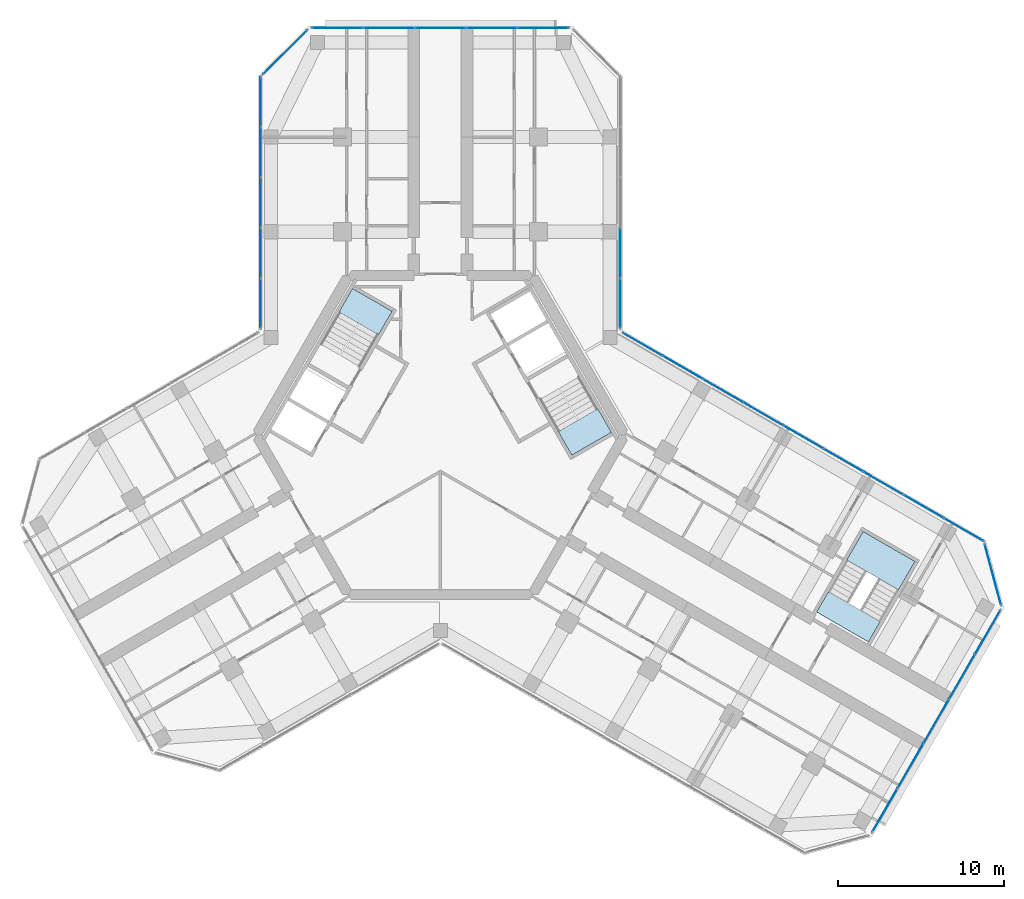
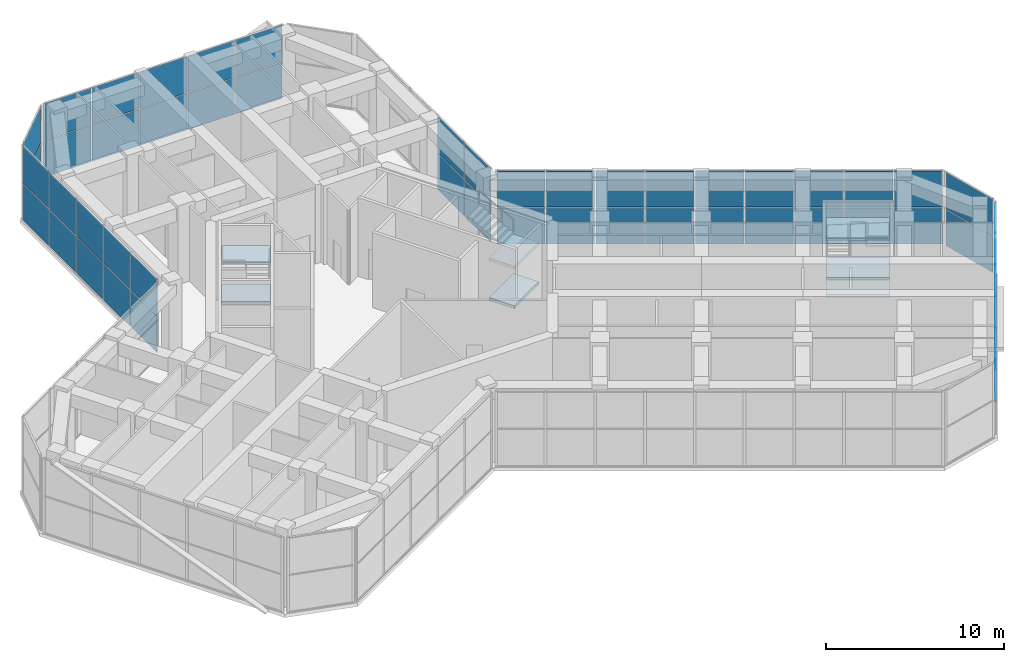
# One storey, part 10 of 16: 55 plates, 7 slabs, 10 elements without a shape of their own.
"""IFC4 building model written with IfcOpenShell, lengths in metres."""

from ifc_helpers import new_model, si_unit, direction, frame, origin, origin_2d, place, context, subcontext, project, spatial, polyline, rectangle, outline, extrude, material, layer, layer_set, type_object, element, aggregate, save


model = new_model("IFC4")

# Units and contexts
model_context = context("Model", 3, precision=1e-05, world=origin(), true_north=direction((0.0, 1.0)))
body_context = subcontext(model_context, "Body", "Model", "MODEL_VIEW")
ifc_project = project(units=[si_unit("LENGTHUNIT", "METRE"), si_unit("AREAUNIT", "SQUARE_METRE"), si_unit("VOLUMEUNIT", "CUBIC_METRE"), si_unit("PLANEANGLEUNIT", "RADIAN"), si_unit("MASSUNIT", "GRAM", prefix="KILO")], contexts=[model_context])

# Site, building, storey
site_placement = place(None, origin())
site = spatial("IfcSite", under=ifc_project, at=site_placement, CompositionType="ELEMENT")
building_placement = place(site_placement, origin())
building = spatial("IfcBuilding", under=site, at=building_placement, Name="Kosmar Iwan School Tower", CompositionType="ELEMENT")
storey_placement = place(building_placement, frame((0.0, 0.0, 226.199951171875)))
storey = spatial("IfcBuildingStorey", under=building, at=storey_placement, Name="L57", CompositionType="ELEMENT", Elevation=226.199951171875)

# Curtain wall, plates
ifc_material_1 = material(Name="Dark glass in black aluminium frame", Category="aluminium")
curtain_wall_type_1 = type_object("IfcCurtainWallType", Name="Tower curtain wall dark glass", PredefinedType="USERDEFINED", material=ifc_material_1)
curtain_wall_1_placement = place(storey_placement, origin())
curtain_wall_1 = element("IfcCurtainWall", 1, at=curtain_wall_1_placement, inside=storey, type_object=curtain_wall_type_1, Name="Curtain wall L57-F01", ObjectType="UNITISED CURTAIN WALL", PredefinedType="USERDEFINED")
ifc_material_2 = material(Name="Dark glass", Category="glass")
ifc_layer_1 = layer(ifc_material_2, 0.028076171875)
ifc_layer_set_1 = layer_set([ifc_layer_1], Name="Dark glass panel 28")
plate_type = type_object("IfcPlateType", Name="Dark glass panel 28", PredefinedType="CURTAIN_PANEL", material=ifc_layer_set_1)
plate_1_placement = place(storey_placement, frame((26.764404296875, -22.592529296875, 2.60498046875), z_axis=(0.0, 0.0, 1.0), x_axis=(0.499999997325, 0.866025405329, 0.0)))
plate_1 = element("IfcPlate", 2, at=plate_1_placement, type_object=plate_type, Name="CW1 panel 1.2", PredefinedType="CURTAIN_PANEL", context=body_context, shape_type="SweptSolid", body=[
    extrude(rectangle(XDim=3.00927734375, YDim=0.028076171875, at=origin_2d()), origin(), (0.0, 0.0, 1.0), 2.485107421875),
])
plate_2_placement = place(storey_placement, frame((28.306640625, -19.921630859375, 0.06005859375), z_axis=(0.0, 0.0, 1.0), x_axis=(0.499999997325, 0.866025405329, 0.0)))
plate_2 = element("IfcPlate", 3, at=plate_2_placement, type_object=plate_type, Name="CW1 panel 2.1", PredefinedType="CURTAIN_PANEL", context=body_context, shape_type="SweptSolid", body=[
    extrude(rectangle(XDim=3.039306640625, YDim=0.028076171875, at=origin_2d()), origin(), (0.0, 0.0, 1.0), 2.485107421875),
])
plate_3_placement = place(storey_placement, frame((28.306640625, -19.921630859375, 2.60498046875), z_axis=(0.0, 0.0, 1.0), x_axis=(0.499999997325, 0.866025405329, 0.0)))
plate_3 = element("IfcPlate", 4, at=plate_3_placement, type_object=plate_type, Name="CW1 panel 2.2", PredefinedType="CURTAIN_PANEL", context=body_context, shape_type="SweptSolid", body=[
    extrude(rectangle(XDim=3.039306640625, YDim=0.028076171875, at=origin_2d()), origin(), (0.0, 0.0, 1.0), 2.485107421875),
])
plate_4_placement = place(storey_placement, frame((29.856201171875, -17.237548828125, 0.06005859375), z_axis=(0.0, 0.0, 1.0), x_axis=(0.499999997325, 0.866025405329, 0.0)))
plate_4 = element("IfcPlate", 5, at=plate_4_placement, type_object=plate_type, Name="CW1 panel 3.1", PredefinedType="CURTAIN_PANEL", context=body_context, shape_type="SweptSolid", body=[
    extrude(rectangle(XDim=3.039306640625, YDim=0.028076171875, at=origin_2d()), origin(), (0.0, 0.0, 1.0), 2.485107421875),
])
plate_5_placement = place(storey_placement, frame((29.856201171875, -17.237548828125, 2.60498046875), z_axis=(0.0, 0.0, 1.0), x_axis=(0.499999997325, 0.866025405329, 0.0)))
plate_5 = element("IfcPlate", 6, at=plate_5_placement, type_object=plate_type, Name="CW1 panel 3.2", PredefinedType="CURTAIN_PANEL", context=body_context, shape_type="SweptSolid", body=[
    extrude(rectangle(XDim=3.039306640625, YDim=0.028076171875, at=origin_2d()), origin(), (0.0, 0.0, 1.0), 2.485107421875),
])
plate_6_placement = place(storey_placement, frame((31.40576171875, -14.553466796875, 0.06005859375), z_axis=(0.0, 0.0, 1.0), x_axis=(0.499999997325, 0.866025405329, 0.0)))
plate_6 = element("IfcPlate", 7, at=plate_6_placement, type_object=plate_type, Name="CW1 panel 4.1", PredefinedType="CURTAIN_PANEL", context=body_context, shape_type="SweptSolid", body=[
    extrude(rectangle(XDim=3.039306640625, YDim=0.028076171875, at=origin_2d()), origin(), (0.0, 0.0, 1.0), 2.485107421875),
])
plate_7_placement = place(storey_placement, frame((31.40576171875, -14.553466796875, 2.60498046875), z_axis=(0.0, 0.0, 1.0), x_axis=(0.499999997325, 0.866025405329, 0.0)))
plate_7 = element("IfcPlate", 8, at=plate_7_placement, type_object=plate_type, Name="CW1 panel 4.2", PredefinedType="CURTAIN_PANEL", context=body_context, shape_type="SweptSolid", body=[
    extrude(rectangle(XDim=3.039306640625, YDim=0.028076171875, at=origin_2d()), origin(), (0.0, 0.0, 1.0), 2.485107421875),
])
plate_8_placement = place(storey_placement, frame((32.947998046875, -11.88232421875, 0.06005859375), z_axis=(0.0, 0.0, 1.0), x_axis=(0.499999997325, 0.866025405329, 0.0)))
plate_8 = element("IfcPlate", 9, at=plate_8_placement, type_object=plate_type, Name="CW1 panel 5.1", PredefinedType="CURTAIN_PANEL", context=body_context, shape_type="SweptSolid", body=[
    extrude(rectangle(XDim=3.00927734375, YDim=0.028076171875, at=origin_2d()), origin(), (0.0, 0.0, 1.0), 2.485107421875),
])
plate_9_placement = place(storey_placement, frame((32.947998046875, -11.88232421875, 2.60498046875), z_axis=(0.0, 0.0, 1.0), x_axis=(0.499999997325, 0.866025405329, 0.0)))
plate_9 = element("IfcPlate", 10, at=plate_9_placement, type_object=plate_type, Name="CW1 panel 5.2", PredefinedType="CURTAIN_PANEL", context=body_context, shape_type="SweptSolid", body=[
    extrude(rectangle(XDim=3.00927734375, YDim=0.028076171875, at=origin_2d()), origin(), (0.0, 0.0, 1.0), 2.485107421875),
])
aggregate(curtain_wall_1, [plate_1, plate_2, plate_3, plate_4, plate_5, plate_6, plate_7, plate_8, plate_9])

ifc_material_3 = material(Name="Dark glass in black aluminium frame", Category="aluminium")
curtain_wall_type_2 = type_object("IfcCurtainWallType", Name="Chamfer curtain wall dark glass", PredefinedType="USERDEFINED", material=ifc_material_3)
curtain_wall_2_placement = place(storey_placement, origin())
curtain_wall_2 = element("IfcCurtainWall", 11, at=curtain_wall_2_placement, inside=storey, type_object=curtain_wall_type_2, Name="Curtain wall L57-F02", ObjectType="FACETED CURTAIN WALL", PredefinedType="USERDEFINED")
plate_10_placement = place(storey_placement, frame((33.269775390625, -8.3984375, 0.06005859375), z_axis=(0.0, 0.0, 1.0), x_axis=(-0.258818861462, 0.965925875495, 0.0)))
plate_10 = element("IfcPlate", 12, at=plate_10_placement, type_object=plate_type, Name="CW2 panel 1.1", PredefinedType="CURTAIN_PANEL", context=body_context, shape_type="SweptSolid", body=[
    extrude(rectangle(XDim=3.718994140625, YDim=0.028076171875, at=origin_2d()), origin(), (0.0, 0.0, 1.0), 2.485107421875),
])
plate_11_placement = place(storey_placement, frame((33.269775390625, -8.3984375, 2.60498046875), z_axis=(0.0, 0.0, 1.0), x_axis=(-0.258818861462, 0.965925875495, 0.0)))
plate_11 = element("IfcPlate", 13, at=plate_11_placement, type_object=plate_type, Name="CW2 panel 1.2", PredefinedType="CURTAIN_PANEL", context=body_context, shape_type="SweptSolid", body=[
    extrude(rectangle(XDim=3.718994140625, YDim=0.028076171875, at=origin_2d()), origin(), (0.0, 0.0, 1.0), 2.485107421875),
])
aggregate(curtain_wall_2, [plate_10, plate_11])

ifc_material_4 = material(Name="Dark glass in black aluminium frame", Category="aluminium")
curtain_wall_type_3 = type_object("IfcCurtainWallType", Name="Winter garden curtain wall", PredefinedType="USERDEFINED", material=ifc_material_4)
curtain_wall_3_placement = place(storey_placement, origin())
curtain_wall_3 = element("IfcCurtainWall", 14, at=curtain_wall_3_placement, inside=storey, type_object=curtain_wall_type_3, Name="Curtain wall L57-F03", ObjectType="WINTER GARDEN CURTAIN WALL", PredefinedType="USERDEFINED")
plate_12_placement = place(storey_placement, frame((12.185302734375, 5.46435546875, 0.06005859375), z_axis=(0.0, 0.0, 1.0), x_axis=(0.866025395189, -0.500000014888, 0.0)))
plate_12 = element("IfcPlate", 15, at=plate_12_placement, type_object=plate_type, Name="CW7 panel 1.1", PredefinedType="CURTAIN_PANEL", context=body_context, shape_type="SweptSolid", body=[
    extrude(rectangle(XDim=2.703369140625, YDim=0.028076171875, at=origin_2d()), origin(), (0.0, 0.0, 1.0), 2.485107421875),
])
plate_13_placement = place(storey_placement, frame((12.185302734375, 5.46435546875, 2.60498046875), z_axis=(0.0, 0.0, 1.0), x_axis=(0.866025395189, -0.500000014888, 0.0)))
plate_13 = element("IfcPlate", 16, at=plate_13_placement, type_object=plate_type, Name="CW7 panel 1.2", PredefinedType="CURTAIN_PANEL", context=body_context, shape_type="SweptSolid", body=[
    extrude(rectangle(XDim=2.703369140625, YDim=0.028076171875, at=origin_2d()), origin(), (0.0, 0.0, 1.0), 2.485107421875),
])
plate_14_placement = place(storey_placement, frame((14.59130859375, 4.0751953125, 0.06005859375), z_axis=(0.0, 0.0, 1.0), x_axis=(0.866025395189, -0.500000014888, 0.0)))
plate_14 = element("IfcPlate", 17, at=plate_14_placement, type_object=plate_type, Name="CW7 panel 2.1", PredefinedType="CURTAIN_PANEL", context=body_context, shape_type="SweptSolid", body=[
    extrude(rectangle(XDim=2.733154296875, YDim=0.028076171875, at=origin_2d()), origin(), (0.0, 0.0, 1.0), 2.485107421875),
])
plate_15_placement = place(storey_placement, frame((14.59130859375, 4.0751953125, 2.60498046875), z_axis=(0.0, 0.0, 1.0), x_axis=(0.866025395189, -0.500000014888, 0.0)))
plate_15 = element("IfcPlate", 18, at=plate_15_placement, type_object=plate_type, Name="CW7 panel 2.2", PredefinedType="CURTAIN_PANEL", context=body_context, shape_type="SweptSolid", body=[
    extrude(rectangle(XDim=2.733154296875, YDim=0.028076171875, at=origin_2d()), origin(), (0.0, 0.0, 1.0), 2.485107421875),
])
plate_16_placement = place(storey_placement, frame((17.010498046875, 2.6787109375, 0.06005859375), z_axis=(0.0, 0.0, 1.0), x_axis=(0.866025395189, -0.500000014888, 0.0)))
plate_16 = element("IfcPlate", 19, at=plate_16_placement, type_object=plate_type, Name="CW7 panel 3.1", PredefinedType="CURTAIN_PANEL", context=body_context, shape_type="SweptSolid", body=[
    extrude(rectangle(XDim=2.733154296875, YDim=0.028076171875, at=origin_2d()), origin(), (0.0, 0.0, 1.0), 2.485107421875),
])
plate_17_placement = place(storey_placement, frame((17.010498046875, 2.6787109375, 2.60498046875), z_axis=(0.0, 0.0, 1.0), x_axis=(0.866025395189, -0.500000014888, 0.0)))
plate_17 = element("IfcPlate", 20, at=plate_17_placement, type_object=plate_type, Name="CW7 panel 3.2", PredefinedType="CURTAIN_PANEL", context=body_context, shape_type="SweptSolid", body=[
    extrude(rectangle(XDim=2.733154296875, YDim=0.028076171875, at=origin_2d()), origin(), (0.0, 0.0, 1.0), 2.485107421875),
])
plate_18_placement = place(storey_placement, frame((19.429443359375, 1.281982421875, 0.06005859375), z_axis=(0.0, 0.0, 1.0), x_axis=(0.866025395189, -0.500000014888, 0.0)))
plate_18 = element("IfcPlate", 21, at=plate_18_placement, type_object=plate_type, Name="CW7 panel 4.1", PredefinedType="CURTAIN_PANEL", context=body_context, shape_type="SweptSolid", body=[
    extrude(rectangle(XDim=2.733154296875, YDim=0.028076171875, at=origin_2d()), origin(), (0.0, 0.0, 1.0), 2.485107421875),
])
plate_19_placement = place(storey_placement, frame((19.429443359375, 1.281982421875, 2.60498046875), z_axis=(0.0, 0.0, 1.0), x_axis=(0.866025395189, -0.500000014888, 0.0)))
plate_19 = element("IfcPlate", 22, at=plate_19_placement, type_object=plate_type, Name="CW7 panel 4.2", PredefinedType="CURTAIN_PANEL", context=body_context, shape_type="SweptSolid", body=[
    extrude(rectangle(XDim=2.733154296875, YDim=0.028076171875, at=origin_2d()), origin(), (0.0, 0.0, 1.0), 2.485107421875),
])
plate_20_placement = place(storey_placement, frame((21.848388671875, -0.114501953125, 0.06005859375), z_axis=(0.0, 0.0, 1.0), x_axis=(0.866025395189, -0.500000014888, 0.0)))
plate_20 = element("IfcPlate", 23, at=plate_20_placement, type_object=plate_type, Name="CW7 panel 5.1", PredefinedType="CURTAIN_PANEL", context=body_context, shape_type="SweptSolid", body=[
    extrude(rectangle(XDim=2.733154296875, YDim=0.028076171875, at=origin_2d()), origin(), (0.0, 0.0, 1.0), 2.485107421875),
])
plate_21_placement = place(storey_placement, frame((21.848388671875, -0.114501953125, 2.60498046875), z_axis=(0.0, 0.0, 1.0), x_axis=(0.866025395189, -0.500000014888, 0.0)))
plate_21 = element("IfcPlate", 24, at=plate_21_placement, type_object=plate_type, Name="CW7 panel 5.2", PredefinedType="CURTAIN_PANEL", context=body_context, shape_type="SweptSolid", body=[
    extrude(rectangle(XDim=2.733154296875, YDim=0.028076171875, at=origin_2d()), origin(), (0.0, 0.0, 1.0), 2.485107421875),
])
plate_22_placement = place(storey_placement, frame((24.267578125, -1.51123046875, 0.06005859375), z_axis=(0.0, 0.0, 1.0), x_axis=(0.866025395189, -0.500000014888, 0.0)))
plate_22 = element("IfcPlate", 25, at=plate_22_placement, type_object=plate_type, Name="CW7 panel 6.1", PredefinedType="CURTAIN_PANEL", context=body_context, shape_type="SweptSolid", body=[
    extrude(rectangle(XDim=2.733154296875, YDim=0.028076171875, at=origin_2d()), origin(), (0.0, 0.0, 1.0), 2.485107421875),
])
plate_23_placement = place(storey_placement, frame((24.267578125, -1.51123046875, 2.60498046875), z_axis=(0.0, 0.0, 1.0), x_axis=(0.866025395189, -0.500000014888, 0.0)))
plate_23 = element("IfcPlate", 26, at=plate_23_placement, type_object=plate_type, Name="CW7 panel 6.2", PredefinedType="CURTAIN_PANEL", context=body_context, shape_type="SweptSolid", body=[
    extrude(rectangle(XDim=2.733154296875, YDim=0.028076171875, at=origin_2d()), origin(), (0.0, 0.0, 1.0), 2.485107421875),
])
plate_24_placement = place(storey_placement, frame((26.6865234375, -2.90771484375, 0.06005859375), z_axis=(0.0, 0.0, 1.0), x_axis=(0.866025395189, -0.500000014888, 0.0)))
plate_24 = element("IfcPlate", 27, at=plate_24_placement, type_object=plate_type, Name="CW7 panel 7.1", PredefinedType="CURTAIN_PANEL", context=body_context, shape_type="SweptSolid", body=[
    extrude(rectangle(XDim=2.733154296875, YDim=0.028076171875, at=origin_2d()), origin(), (0.0, 0.0, 1.0), 2.485107421875),
])
plate_25_placement = place(storey_placement, frame((26.6865234375, -2.90771484375, 2.60498046875), z_axis=(0.0, 0.0, 1.0), x_axis=(0.866025395189, -0.500000014888, 0.0)))
plate_25 = element("IfcPlate", 28, at=plate_25_placement, type_object=plate_type, Name="CW7 panel 7.2", PredefinedType="CURTAIN_PANEL", context=body_context, shape_type="SweptSolid", body=[
    extrude(rectangle(XDim=2.733154296875, YDim=0.028076171875, at=origin_2d()), origin(), (0.0, 0.0, 1.0), 2.485107421875),
])
plate_26_placement = place(storey_placement, frame((29.10546875, -4.304443359375, 0.06005859375), z_axis=(0.0, 0.0, 1.0), x_axis=(0.866025395189, -0.500000014888, 0.0)))
plate_26 = element("IfcPlate", 29, at=plate_26_placement, type_object=plate_type, Name="CW7 panel 8.1", PredefinedType="CURTAIN_PANEL", context=body_context, shape_type="SweptSolid", body=[
    extrude(rectangle(XDim=2.733154296875, YDim=0.028076171875, at=origin_2d()), origin(), (0.0, 0.0, 1.0), 2.485107421875),
])
plate_27_placement = place(storey_placement, frame((29.10546875, -4.304443359375, 2.60498046875), z_axis=(0.0, 0.0, 1.0), x_axis=(0.866025395189, -0.500000014888, 0.0)))
plate_27 = element("IfcPlate", 30, at=plate_27_placement, type_object=plate_type, Name="CW7 panel 8.2", PredefinedType="CURTAIN_PANEL", context=body_context, shape_type="SweptSolid", body=[
    extrude(rectangle(XDim=2.733154296875, YDim=0.028076171875, at=origin_2d()), origin(), (0.0, 0.0, 1.0), 2.485107421875),
])
plate_28_placement = place(storey_placement, frame((31.511474609375, -5.693603515625, 0.06005859375), z_axis=(0.0, 0.0, 1.0), x_axis=(0.866025395189, -0.500000014888, 0.0)))
plate_28 = element("IfcPlate", 31, at=plate_28_placement, type_object=plate_type, Name="CW7 panel 9.1", PredefinedType="CURTAIN_PANEL", context=body_context, shape_type="SweptSolid", body=[
    extrude(rectangle(XDim=2.703369140625, YDim=0.028076171875, at=origin_2d()), origin(), (0.0, 0.0, 1.0), 2.485107421875),
])
plate_29_placement = place(storey_placement, frame((31.511474609375, -5.693603515625, 2.60498046875), z_axis=(0.0, 0.0, 1.0), x_axis=(0.866025395189, -0.500000014888, 0.0)))
plate_29 = element("IfcPlate", 32, at=plate_29_placement, type_object=plate_type, Name="CW7 panel 9.2", PredefinedType="CURTAIN_PANEL", context=body_context, shape_type="SweptSolid", body=[
    extrude(rectangle(XDim=2.703369140625, YDim=0.028076171875, at=origin_2d()), origin(), (0.0, 0.0, 1.0), 2.485107421875),
])
aggregate(curtain_wall_3, [plate_12, plate_13, plate_14, plate_15, plate_16, plate_17, plate_18, plate_19, plate_20, plate_21, plate_22, plate_23, plate_24, plate_25, plate_26, plate_27, plate_28, plate_29])

curtain_wall_4_placement = place(storey_placement, origin())
curtain_wall_4 = element("IfcCurtainWall", 33, at=curtain_wall_4_placement, inside=storey, type_object=curtain_wall_type_3, Name="Curtain wall L57-F04", ObjectType="WINTER GARDEN CURTAIN WALL", PredefinedType="USERDEFINED")
plate_30_placement = place(storey_placement, frame((10.824951171875, 7.94287109375, 0.06005859375), z_axis=(0.0, 0.0, 1.0), x_axis=(0.0, 1.0, 0.0)))
plate_30 = element("IfcPlate", 34, at=plate_30_placement, type_object=plate_type, Name="CW7 panel 1.1", PredefinedType="CURTAIN_PANEL", context=body_context, shape_type="SweptSolid", body=[
    extrude(rectangle(XDim=2.94775390625, YDim=0.028076171875, at=origin_2d()), origin(), (0.0, 0.0, 1.0), 2.485107421875),
])
plate_31_placement = place(storey_placement, frame((10.824951171875, 7.94287109375, 2.60498046875), z_axis=(0.0, 0.0, 1.0), x_axis=(0.0, 1.0, 0.0)))
plate_31 = element("IfcPlate", 35, at=plate_31_placement, type_object=plate_type, Name="CW7 panel 1.2", PredefinedType="CURTAIN_PANEL", context=body_context, shape_type="SweptSolid", body=[
    extrude(rectangle(XDim=2.94775390625, YDim=0.028076171875, at=origin_2d()), origin(), (0.0, 0.0, 1.0), 2.485107421875),
])
plate_32_placement = place(storey_placement, frame((10.824951171875, 10.9658203125, 0.06005859375), z_axis=(0.0, 0.0, 1.0), x_axis=(0.0, 1.0, 0.0)))
plate_32 = element("IfcPlate", 36, at=plate_32_placement, type_object=plate_type, Name="CW7 panel 2.1", PredefinedType="CURTAIN_PANEL", context=body_context, shape_type="SweptSolid", body=[
    extrude(rectangle(XDim=2.977783203125, YDim=0.028076171875, at=origin_2d()), origin(), (0.0, 0.0, 1.0), 2.485107421875),
])
plate_33_placement = place(storey_placement, frame((10.824951171875, 10.9658203125, 2.60498046875), z_axis=(0.0, 0.0, 1.0), x_axis=(0.0, 1.0, 0.0)))
plate_33 = element("IfcPlate", 37, at=plate_33_placement, type_object=plate_type, Name="CW7 panel 2.2", PredefinedType="CURTAIN_PANEL", context=body_context, shape_type="SweptSolid", body=[
    extrude(rectangle(XDim=2.977783203125, YDim=0.028076171875, at=origin_2d()), origin(), (0.0, 0.0, 1.0), 2.485107421875),
])
aggregate(curtain_wall_4, [plate_30, plate_31, plate_32, plate_33])

curtain_wall_5_placement = place(storey_placement, origin())
curtain_wall_5 = element("IfcCurtainWall", 38, at=curtain_wall_5_placement, inside=storey, type_object=curtain_wall_type_1, Name="Curtain wall L57-F06", ObjectType="UNITISED CURTAIN WALL", PredefinedType="USERDEFINED")
plate_34_placement = place(storey_placement, frame((6.18359375, 24.52490234375, 0.06005859375), z_axis=(0.0, 0.0, 1.0), x_axis=(-1.0, 0.0, 0.0)))
plate_34 = element("IfcPlate", 39, at=plate_34_placement, type_object=plate_type, Name="CW1 panel 1.1", PredefinedType="CURTAIN_PANEL", context=body_context, shape_type="SweptSolid", body=[
    extrude(rectangle(XDim=3.00927734375, YDim=0.028076171875, at=origin_2d()), origin(), (0.0, 0.0, 1.0), 2.485107421875),
])
plate_35_placement = place(storey_placement, frame((6.18359375, 24.52490234375, 2.60498046875), z_axis=(0.0, 0.0, 1.0), x_axis=(-1.0, 0.0, 0.0)))
plate_35 = element("IfcPlate", 40, at=plate_35_placement, type_object=plate_type, Name="CW1 panel 1.2", PredefinedType="CURTAIN_PANEL", context=body_context, shape_type="SweptSolid", body=[
    extrude(rectangle(XDim=3.00927734375, YDim=0.028076171875, at=origin_2d()), origin(), (0.0, 0.0, 1.0), 2.485107421875),
])
plate_36_placement = place(storey_placement, frame((3.099365234375, 24.52490234375, 0.06005859375), z_axis=(0.0, 0.0, 1.0), x_axis=(-1.0, 0.0, 0.0)))
plate_36 = element("IfcPlate", 41, at=plate_36_placement, type_object=plate_type, Name="CW1 panel 2.1", PredefinedType="CURTAIN_PANEL", context=body_context, shape_type="SweptSolid", body=[
    extrude(rectangle(XDim=3.039306640625, YDim=0.028076171875, at=origin_2d()), origin(), (0.0, 0.0, 1.0), 2.485107421875),
])
plate_37_placement = place(storey_placement, frame((3.099365234375, 24.52490234375, 2.60498046875), z_axis=(0.0, 0.0, 1.0), x_axis=(-1.0, 0.0, 0.0)))
plate_37 = element("IfcPlate", 42, at=plate_37_placement, type_object=plate_type, Name="CW1 panel 2.2", PredefinedType="CURTAIN_PANEL", context=body_context, shape_type="SweptSolid", body=[
    extrude(rectangle(XDim=3.039306640625, YDim=0.028076171875, at=origin_2d()), origin(), (0.0, 0.0, 1.0), 2.485107421875),
])
plate_38_placement = place(storey_placement, frame((0.0, 24.52490234375, 0.06005859375), z_axis=(0.0, 0.0, 1.0), x_axis=(-1.0, 0.0, 0.0)))
plate_38 = element("IfcPlate", 43, at=plate_38_placement, type_object=plate_type, Name="CW1 panel 3.1", PredefinedType="CURTAIN_PANEL", context=body_context, shape_type="SweptSolid", body=[
    extrude(rectangle(XDim=3.039306640625, YDim=0.028076171875, at=origin_2d()), origin(), (0.0, 0.0, 1.0), 2.485107421875),
])
plate_39_placement = place(storey_placement, frame((0.0, 24.52490234375, 2.60498046875), z_axis=(0.0, 0.0, 1.0), x_axis=(-1.0, 0.0, 0.0)))
plate_39 = element("IfcPlate", 44, at=plate_39_placement, type_object=plate_type, Name="CW1 panel 3.2", PredefinedType="CURTAIN_PANEL", context=body_context, shape_type="SweptSolid", body=[
    extrude(rectangle(XDim=3.039306640625, YDim=0.028076171875, at=origin_2d()), origin(), (0.0, 0.0, 1.0), 2.485107421875),
])
plate_40_placement = place(storey_placement, frame((-3.099365234375, 24.52490234375, 0.06005859375), z_axis=(0.0, 0.0, 1.0), x_axis=(-1.0, 0.0, 0.0)))
plate_40 = element("IfcPlate", 45, at=plate_40_placement, type_object=plate_type, Name="CW1 panel 4.1", PredefinedType="CURTAIN_PANEL", context=body_context, shape_type="SweptSolid", body=[
    extrude(rectangle(XDim=3.039306640625, YDim=0.028076171875, at=origin_2d()), origin(), (0.0, 0.0, 1.0), 2.485107421875),
])
plate_41_placement = place(storey_placement, frame((-3.099365234375, 24.52490234375, 2.60498046875), z_axis=(0.0, 0.0, 1.0), x_axis=(-1.0, 0.0, 0.0)))
plate_41 = element("IfcPlate", 46, at=plate_41_placement, type_object=plate_type, Name="CW1 panel 4.2", PredefinedType="CURTAIN_PANEL", context=body_context, shape_type="SweptSolid", body=[
    extrude(rectangle(XDim=3.039306640625, YDim=0.028076171875, at=origin_2d()), origin(), (0.0, 0.0, 1.0), 2.485107421875),
])
plate_42_placement = place(storey_placement, frame((-6.18359375, 24.52490234375, 0.06005859375), z_axis=(0.0, 0.0, 1.0), x_axis=(-1.0, 0.0, 0.0)))
plate_42 = element("IfcPlate", 47, at=plate_42_placement, type_object=plate_type, Name="CW1 panel 5.1", PredefinedType="CURTAIN_PANEL", context=body_context, shape_type="SweptSolid", body=[
    extrude(rectangle(XDim=3.00927734375, YDim=0.028076171875, at=origin_2d()), origin(), (0.0, 0.0, 1.0), 2.485107421875),
])
plate_43_placement = place(storey_placement, frame((-6.18359375, 24.52490234375, 2.60498046875), z_axis=(0.0, 0.0, 1.0), x_axis=(-1.0, 0.0, 0.0)))
plate_43 = element("IfcPlate", 48, at=plate_43_placement, type_object=plate_type, Name="CW1 panel 5.2", PredefinedType="CURTAIN_PANEL", context=body_context, shape_type="SweptSolid", body=[
    extrude(rectangle(XDim=3.00927734375, YDim=0.028076171875, at=origin_2d()), origin(), (0.0, 0.0, 1.0), 2.485107421875),
])
aggregate(curtain_wall_5, [plate_34, plate_35, plate_36, plate_37, plate_38, plate_39, plate_40, plate_41, plate_42, plate_43])

curtain_wall_6_placement = place(storey_placement, origin())
curtain_wall_6 = element("IfcCurtainWall", 49, at=curtain_wall_6_placement, inside=storey, type_object=curtain_wall_type_2, Name="Curtain wall L57-F07", ObjectType="FACETED CURTAIN WALL", PredefinedType="USERDEFINED")
plate_44_placement = place(storey_placement, frame((-9.361572265625, 23.0615234375, 0.06005859375), z_axis=(0.0, 0.0, 1.0), x_axis=(-0.707106781187, -0.707106781187, 0.0)))
plate_44 = element("IfcPlate", 50, at=plate_44_placement, type_object=plate_type, Name="CW2 panel 1.1", PredefinedType="CURTAIN_PANEL", context=body_context, shape_type="SweptSolid", body=[
    extrude(rectangle(XDim=3.718994140625, YDim=0.028076171875, at=origin_2d()), origin(), (0.0, 0.0, 1.0), 2.485107421875),
])
plate_45_placement = place(storey_placement, frame((-9.361572265625, 23.0615234375, 2.60498046875), z_axis=(0.0, 0.0, 1.0), x_axis=(-0.707106781187, -0.707106781187, 0.0)))
plate_45 = element("IfcPlate", 51, at=plate_45_placement, type_object=plate_type, Name="CW2 panel 1.2", PredefinedType="CURTAIN_PANEL", context=body_context, shape_type="SweptSolid", body=[
    extrude(rectangle(XDim=3.718994140625, YDim=0.028076171875, at=origin_2d()), origin(), (0.0, 0.0, 1.0), 2.485107421875),
])
aggregate(curtain_wall_6, [plate_44, plate_45])

curtain_wall_7_placement = place(storey_placement, origin())
curtain_wall_7 = element("IfcCurtainWall", 52, at=curtain_wall_7_placement, inside=storey, type_object=curtain_wall_type_3, Name="Curtain wall L57-F08", ObjectType="WINTER GARDEN CURTAIN WALL", PredefinedType="USERDEFINED")
plate_46_placement = place(storey_placement, frame((-10.824951171875, 7.94287109375, 0.06005859375), z_axis=(0.0, 0.0, 1.0), x_axis=(0.0, 1.0, 0.0)))
plate_46 = element("IfcPlate", 53, at=plate_46_placement, type_object=plate_type, Name="CW7 panel 1.1", PredefinedType="CURTAIN_PANEL", context=body_context, shape_type="SweptSolid", body=[
    extrude(rectangle(XDim=2.94775390625, YDim=0.028076171875, at=origin_2d()), origin(), (0.0, 0.0, 1.0), 2.485107421875),
])
plate_47_placement = place(storey_placement, frame((-10.824951171875, 7.94287109375, 2.60498046875), z_axis=(0.0, 0.0, 1.0), x_axis=(0.0, 1.0, 0.0)))
plate_47 = element("IfcPlate", 54, at=plate_47_placement, type_object=plate_type, Name="CW7 panel 1.2", PredefinedType="CURTAIN_PANEL", context=body_context, shape_type="SweptSolid", body=[
    extrude(rectangle(XDim=2.94775390625, YDim=0.028076171875, at=origin_2d()), origin(), (0.0, 0.0, 1.0), 2.485107421875),
])
plate_48_placement = place(storey_placement, frame((-10.824951171875, 10.9658203125, 0.06005859375), z_axis=(0.0, 0.0, 1.0), x_axis=(0.0, 1.0, 0.0)))
plate_48 = element("IfcPlate", 55, at=plate_48_placement, type_object=plate_type, Name="CW7 panel 2.1", PredefinedType="CURTAIN_PANEL", context=body_context, shape_type="SweptSolid", body=[
    extrude(rectangle(XDim=2.977783203125, YDim=0.028076171875, at=origin_2d()), origin(), (0.0, 0.0, 1.0), 2.485107421875),
])
plate_49_placement = place(storey_placement, frame((-10.824951171875, 10.9658203125, 2.60498046875), z_axis=(0.0, 0.0, 1.0), x_axis=(0.0, 1.0, 0.0)))
plate_49 = element("IfcPlate", 56, at=plate_49_placement, type_object=plate_type, Name="CW7 panel 2.2", PredefinedType="CURTAIN_PANEL", context=body_context, shape_type="SweptSolid", body=[
    extrude(rectangle(XDim=2.977783203125, YDim=0.028076171875, at=origin_2d()), origin(), (0.0, 0.0, 1.0), 2.485107421875),
])
plate_50_placement = place(storey_placement, frame((-10.824951171875, 14.003662109375, 0.06005859375), z_axis=(0.0, 0.0, 1.0), x_axis=(0.0, 1.0, 0.0)))
plate_50 = element("IfcPlate", 57, at=plate_50_placement, type_object=plate_type, Name="CW7 panel 3.1", PredefinedType="CURTAIN_PANEL", context=body_context, shape_type="SweptSolid", body=[
    extrude(rectangle(XDim=2.977783203125, YDim=0.028076171875, at=origin_2d()), origin(), (0.0, 0.0, 1.0), 2.485107421875),
])
plate_51_placement = place(storey_placement, frame((-10.824951171875, 14.003662109375, 2.60498046875), z_axis=(0.0, 0.0, 1.0), x_axis=(0.0, 1.0, 0.0)))
plate_51 = element("IfcPlate", 58, at=plate_51_placement, type_object=plate_type, Name="CW7 panel 3.2", PredefinedType="CURTAIN_PANEL", context=body_context, shape_type="SweptSolid", body=[
    extrude(rectangle(XDim=2.977783203125, YDim=0.028076171875, at=origin_2d()), origin(), (0.0, 0.0, 1.0), 2.485107421875),
])
plate_52_placement = place(storey_placement, frame((-10.824951171875, 17.04150390625, 0.06005859375), z_axis=(0.0, 0.0, 1.0), x_axis=(0.0, 1.0, 0.0)))
plate_52 = element("IfcPlate", 59, at=plate_52_placement, type_object=plate_type, Name="CW7 panel 4.1", PredefinedType="CURTAIN_PANEL", context=body_context, shape_type="SweptSolid", body=[
    extrude(rectangle(XDim=2.977783203125, YDim=0.028076171875, at=origin_2d()), origin(), (0.0, 0.0, 1.0), 2.485107421875),
])
plate_53_placement = place(storey_placement, frame((-10.824951171875, 17.04150390625, 2.60498046875), z_axis=(0.0, 0.0, 1.0), x_axis=(0.0, 1.0, 0.0)))
plate_53 = element("IfcPlate", 60, at=plate_53_placement, type_object=plate_type, Name="CW7 panel 4.2", PredefinedType="CURTAIN_PANEL", context=body_context, shape_type="SweptSolid", body=[
    extrude(rectangle(XDim=2.977783203125, YDim=0.028076171875, at=origin_2d()), origin(), (0.0, 0.0, 1.0), 2.485107421875),
])
plate_54_placement = place(storey_placement, frame((-10.824951171875, 20.064208984375, 0.06005859375), z_axis=(0.0, 0.0, 1.0), x_axis=(0.0, 1.0, 0.0)))
plate_54 = element("IfcPlate", 61, at=plate_54_placement, type_object=plate_type, Name="CW7 panel 5.1", PredefinedType="CURTAIN_PANEL", context=body_context, shape_type="SweptSolid", body=[
    extrude(rectangle(XDim=2.94775390625, YDim=0.028076171875, at=origin_2d()), origin(), (0.0, 0.0, 1.0), 2.485107421875),
])
plate_55_placement = place(storey_placement, frame((-10.824951171875, 20.064208984375, 2.60498046875), z_axis=(0.0, 0.0, 1.0), x_axis=(0.0, 1.0, 0.0)))
plate_55 = element("IfcPlate", 62, at=plate_55_placement, type_object=plate_type, Name="CW7 panel 5.2", PredefinedType="CURTAIN_PANEL", context=body_context, shape_type="SweptSolid", body=[
    extrude(rectangle(XDim=2.94775390625, YDim=0.028076171875, at=origin_2d()), origin(), (0.0, 0.0, 1.0), 2.485107421875),
])
aggregate(curtain_wall_7, [plate_46, plate_47, plate_48, plate_49, plate_50, plate_51, plate_52, plate_53, plate_54, plate_55])

# Stair, slabs
ifc_material_5 = material(Name="Concrete C35/45", Category="concrete")
stair_type_1 = type_object("IfcStairType", Name="Escape stair 3600", PredefinedType="HALF_TURN_STAIR", material=ifc_material_5)
stair_1_placement = place(storey_placement, origin())
stair_1 = element("IfcStair", 63, at=stair_1_placement, inside=storey, type_object=stair_type_1, Name="Stair WS3 L57", PredefinedType="HALF_TURN_STAIR")
ifc_material_6 = material(Name="Concrete C35/45", Category="concrete")
ifc_layer_2 = layer(ifc_material_6, 0.199951171875)
ifc_layer_set_2 = layer_set([ifc_layer_2], Name="Escape stair landing 200")
slab_type_1 = type_object("IfcSlabType", Name="Escape stair landing 200", PredefinedType="LANDING", material=ifc_layer_set_2)
slab_1_placement = place(storey_placement, frame((0.0, 0.0, 1.150146484375)))
slab_1 = element("IfcSlab", 64, at=slab_1_placement, type_object=slab_type_1, Name="WS3 landing 1", PredefinedType="LANDING", context=body_context, shape_type="SweptSolid", body=[
    extrude(outline(polyline([(24.46728515625, -7.521240234375), (27.5849609375, -9.3212890625), (28.574951171875, -7.606689453125), (25.457275390625, -5.806640625), (24.46728515625, -7.521240234375)])), origin(), (0.0, 0.0, 1.0), 0.199951171875),
])
slab_2_placement = place(storey_placement, frame((0.0, 0.0, 2.5)))
slab_2 = element("IfcSlab", 65, at=slab_2_placement, type_object=slab_type_1, Name="WS3 landing 2", PredefinedType="LANDING", context=body_context, shape_type="SweptSolid", body=[
    extrude(outline(polyline([(22.6572265625, -10.65625), (25.775146484375, -12.456298828125), (26.485107421875, -11.2265625), (23.367431640625, -9.426513671875), (22.6572265625, -10.65625)])), origin(), (0.0, 0.0, 1.0), 0.199951171875),
])
slab_3_placement = place(storey_placement, frame((0.0, 0.0, 3.85009765625)))
slab_3 = element("IfcSlab", 66, at=slab_3_placement, type_object=slab_type_1, Name="WS3 landing 3", PredefinedType="LANDING", context=body_context, shape_type="SweptSolid", body=[
    extrude(outline(polyline([(24.46728515625, -7.521240234375), (27.5849609375, -9.3212890625), (28.574951171875, -7.606689453125), (25.457275390625, -5.806640625), (24.46728515625, -7.521240234375)])), origin(), (0.0, 0.0, 1.0), 0.199951171875),
])
aggregate(stair_1, [slab_1, slab_2, slab_3])

ifc_material_7 = material(Name="Concrete C35/45", Category="concrete")
stair_type_2 = type_object("IfcStairType", Name="Core stair 2750", PredefinedType="HALF_TURN_STAIR", material=ifc_material_7)
stair_2_placement = place(storey_placement, origin())
stair_2 = element("IfcStair", 67, at=stair_2_placement, inside=storey, type_object=stair_type_2, Name="Stair ST2 L57", PredefinedType="HALF_TURN_STAIR")
ifc_material_8 = material(Name="Concrete C35/45", Category="concrete")
ifc_layer_3 = layer(ifc_material_8, 0.199951171875)
ifc_layer_set_3 = layer_set([ifc_layer_3], Name="Stair landing 200")
slab_type_2 = type_object("IfcSlabType", Name="Stair landing 200", PredefinedType="LANDING", material=ifc_layer_set_3)
slab_4_placement = place(storey_placement, frame((0.0, 0.0, 1.150146484375)))
slab_4 = element("IfcSlab", 68, at=slab_4_placement, type_object=slab_type_2, Name="ST2 landing 1", PredefinedType="LANDING", context=body_context, shape_type="SweptSolid", body=[
    extrude(outline(polyline([(-2.91259765625, 7.455078125), (-5.294189453125, 8.830078125), (-6.1142578125, 7.409912109375), (-3.732666015625, 6.034912109375), (-2.91259765625, 7.455078125)])), origin(), (0.0, 0.0, 1.0), 0.199951171875),
])
slab_5_placement = place(storey_placement, frame((0.0, 0.0, 3.85009765625)))
slab_5 = element("IfcSlab", 69, at=slab_5_placement, type_object=slab_type_2, Name="ST2 landing 3", PredefinedType="LANDING", context=body_context, shape_type="SweptSolid", body=[
    extrude(outline(polyline([(-2.91259765625, 7.455078125), (-5.294189453125, 8.830078125), (-6.1142578125, 7.409912109375), (-3.732666015625, 6.034912109375), (-2.91259765625, 7.455078125)])), origin(), (0.0, 0.0, 1.0), 0.199951171875),
])
aggregate(stair_2, [slab_4, slab_5])

stair_3_placement = place(storey_placement, origin())
stair_3 = element("IfcStair", 70, at=stair_3_placement, inside=storey, type_object=stair_type_2, Name="Stair ST1 L57", PredefinedType="HALF_TURN_STAIR")
slab_6_placement = place(storey_placement, frame((0.0, 0.0, 1.150146484375)))
slab_6 = element("IfcSlab", 71, at=slab_6_placement, type_object=slab_type_2, Name="ST1 landing 1", PredefinedType="LANDING", context=body_context, shape_type="SweptSolid", body=[
    extrude(outline(polyline([(7.91259765625, -1.205078125), (10.294189453125, 0.169921875), (9.47412109375, 1.590087890625), (7.0927734375, 0.215087890625), (7.91259765625, -1.205078125)])), origin(), (0.0, 0.0, 1.0), 0.199951171875),
])
slab_7_placement = place(storey_placement, frame((0.0, 0.0, 3.85009765625)))
slab_7 = element("IfcSlab", 72, at=slab_7_placement, type_object=slab_type_2, Name="ST1 landing 3", PredefinedType="LANDING", context=body_context, shape_type="SweptSolid", body=[
    extrude(outline(polyline([(7.91259765625, -1.205078125), (10.294189453125, 0.169921875), (9.47412109375, 1.590087890625), (7.0927734375, 0.215087890625), (7.91259765625, -1.205078125)])), origin(), (0.0, 0.0, 1.0), 0.199951171875),
])
aggregate(stair_3, [slab_6, slab_7])

save(model, "model.ifc")
